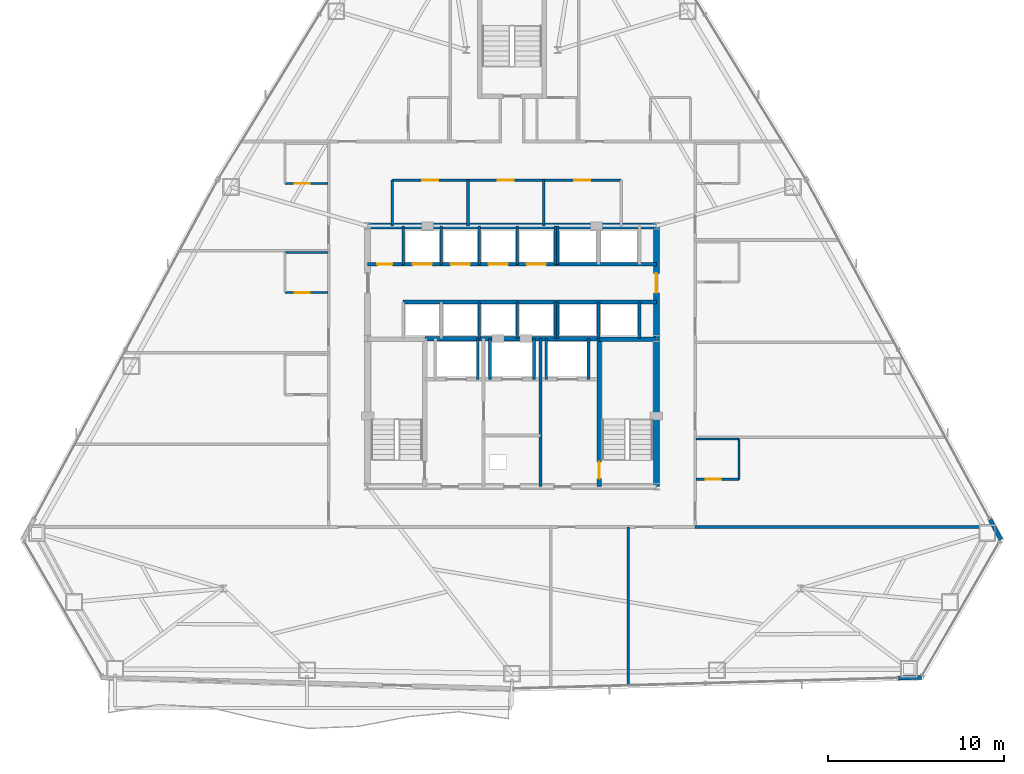
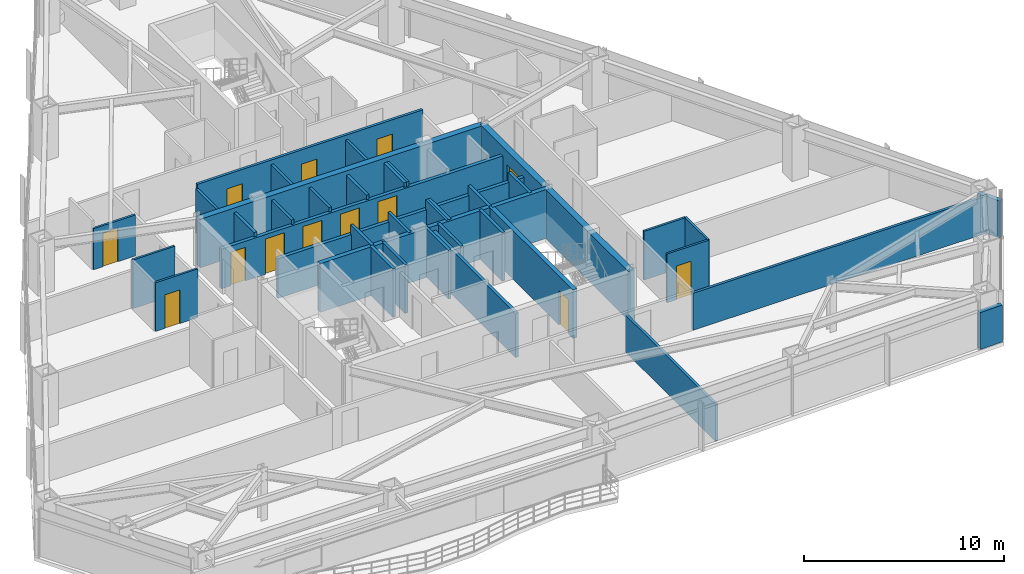
# One storey, part 10 of 14: 39 walls, 13 doors, 13 openings.
"""IFC4 building model written with IfcOpenShell, lengths in metres."""

from ifc_helpers import new_model, si_unit, direction, frame, frame_2d, origin, place, context, subcontext, project, spatial, rectangle, extrude, material, layer, layer_set, type_object, element, fill, save


model = new_model("IFC4")

# Units and contexts
model_context = context("Model", 3, precision=1e-05, world=origin(), true_north=direction((0.0, 1.0)))
body_context = subcontext(model_context, "Body", "Model", "MODEL_VIEW")
ifc_project = project(units=[si_unit("LENGTHUNIT", "METRE"), si_unit("AREAUNIT", "SQUARE_METRE"), si_unit("VOLUMEUNIT", "CUBIC_METRE"), si_unit("PLANEANGLEUNIT", "RADIAN"), si_unit("MASSUNIT", "GRAM", prefix="KILO")], contexts=[model_context])

# Site, building, storey
site_placement = place(None, origin())
site = spatial("IfcSite", under=ifc_project, at=site_placement, CompositionType="ELEMENT")
building_placement = place(site_placement, origin())
building = spatial("IfcBuilding", under=site, at=building_placement, Name="Varakhsha Concourse Tower", CompositionType="ELEMENT")
storey_placement = place(building_placement, frame((0.0, 0.0, 105.39990234375)))
storey = spatial("IfcBuildingStorey", under=building, at=storey_placement, Name="L30", CompositionType="ELEMENT", Elevation=105.39990234375)

# Wall
ifc_material_1 = material(Name="Concrete fc 65 MPa", Category="concrete")
ifc_layer_1 = layer(ifc_material_1, 0.35009765625, Name="WL-CORE-350")
ifc_layer_set_1 = layer_set([ifc_layer_1], Name="Concrete fc 65 MPa")
wall_type_1 = type_object("IfcWallType", Name="WL-CORE-350", PredefinedType="SHEAR", material=ifc_layer_set_1)
wall_1_placement = place(storey_placement, frame((31.800048828125, 31.199951171875, 0.0), z_axis=(0.0, 0.0, 1.0), x_axis=(1.0, 0.0, 0.0)))
element("IfcWall", 1, at=wall_1_placement, inside=storey, type_object=wall_type_1, Name="L30 Wall CWALL-N-L30", PredefinedType="SHEAR", context=body_context, shape_type="SweptSolid", body=[
    extrude(rectangle(XDim=16.39990234375, YDim=0.35009765625, at=frame_2d((8.199951171875, 0.0))), origin(), (0.0, 0.0, 1.0), 2.97021484375),
])

# Wall, opening, door
wall_2_placement = place(storey_placement, frame((48.199951171875, 16.39990234375, 0.0), z_axis=(0.0, 0.0, 1.0), x_axis=(0.0, 1.0, 0.0)))
wall_2 = element("IfcWall", 2, at=wall_2_placement, inside=storey, type_object=wall_type_1, Name="L30 Wall CWALL-E-L30", PredefinedType="SHEAR", context=body_context, shape_type="SweptSolid", body=[
    extrude(rectangle(XDim=14.800048828125, YDim=0.35009765625, at=frame_2d((7.39990234375, 0.0))), origin(), (0.0, 0.0, 1.0), 2.97021484375),
])
opening_1_placement = place(wall_2_placement, frame((11.0, 0.0, 0.0)))
opening_1 = element("IfcOpeningElement", 3, at=opening_1_placement, cuts=wall_2, Name="Opening DL-01", PredefinedType="OPENING", context=body_context, shape_type="SweptSolid", body=[
    extrude(rectangle(XDim=1.10009765625, YDim=2.14990234375, at=frame_2d((0.550048828125, 1.074951171875))), frame((0.0, 0.18505859375, 0.0), z_axis=(0.0, -1.0, 0.0), x_axis=(1.0, 0.0, 0.0)), (0.0, 0.0, 1.0), 0.3701171875),
])
ifc_material_2 = material(Name="Anodised Bronze Architectural Aluminium AA 6063-T6", Category="aluminium")
door_type_1 = type_object("IfcDoorType", Name="DR-LOB-1100", OperationType="NOTDEFINED", PredefinedType="DOOR", material=ifc_material_2)
door_1_placement = place(opening_1_placement, origin())
door_1 = element("IfcDoor", 4, at=door_1_placement, inside=storey, type_object=door_type_1, Name="L30 Lift Lobby East Concourse Door", OperationType="SINGLE_SWING_RIGHT", OverallHeight=2.14990234375, OverallWidth=1.10009765625, PredefinedType="DOOR", context=body_context, shape_type="SweptSolid", body=[
    extrude(rectangle(XDim=1.10009765625, YDim=2.14990234375, at=frame_2d((0.550048828125, 1.074951171875))), frame((0.0, 0.02490234375, 0.0), z_axis=(0.0, -1.0, 0.0), x_axis=(1.0, 0.0, 0.0)), (0.0, 0.0, 1.0), 0.050048828125),
])
fill(opening_1, door_1)

# Walls
ifc_material_3 = material(Name="Concrete fc 45 MPa", Category="concrete")
ifc_layer_2 = layer(ifc_material_3, 0.239990234375, Name="WL-EXT-CRN-240")
ifc_layer_set_2 = layer_set([ifc_layer_2], Name="Concrete fc 45 MPa")
wall_type_2 = type_object("IfcWallType", Name="WL-EXT-CRN-240", PredefinedType="SHEAR", material=ifc_layer_set_2)
wall_3_placement = place(storey_placement, frame((61.94775390625, 5.521728515625, 0.0), z_axis=(0.0, 0.0, 1.0), x_axis=(0.999614564295, 0.027761895635, 0.0)))
element("IfcWall", 5, at=wall_3_placement, inside=storey, type_object=wall_type_2, Name="L30 Wind-Corner Shoulder Wall F6", PredefinedType="SHEAR", context=body_context, shape_type="SweptSolid", body=[
    extrude(rectangle(XDim=1.310302734375, YDim=0.239990234375, at=frame_2d((0.6552734375, 0.0))), origin(), (0.0, 0.0, 1.0), 2.253173828125),
])
wall_4_placement = place(storey_placement, frame((67.773193359375, 13.37939453125, 0.0), z_axis=(0.0, 0.0, 1.0), x_axis=(-0.475820948293, 0.879542167929, 0.0)))
element("IfcWall", 6, at=wall_4_placement, inside=storey, type_object=wall_type_2, Name="L30 Wind-Corner Shoulder Wall F8", PredefinedType="SHEAR", context=body_context, shape_type="SweptSolid", body=[
    extrude(rectangle(XDim=1.310546875, YDim=0.239990234375, at=frame_2d((0.6552734375, 0.0))), origin(), (0.0, 0.0, 1.0), 2.253173828125),
])
ifc_material_4 = material(Name="Fire-Rated Type X Gypsum Partition Assembly", Category="gypsum")
ifc_layer_3 = layer(ifc_material_4, 0.179931640625, Name="WL-FFLOB-180")
ifc_layer_set_3 = layer_set([ifc_layer_3], Name="Fire-Rated Type X Gypsum Partition Assembly")
wall_type_3 = type_object("IfcWallType", Name="WL-FFLOB-180", PredefinedType="PARTITIONING", material=ifc_layer_set_3)
wall_5_placement = place(storey_placement, frame((41.610107421875, 16.39990234375, 0.0), z_axis=(0.0, 0.0, 1.0), x_axis=(0.0, 1.0, 0.0)))
element("IfcWall", 7, at=wall_5_placement, inside=storey, type_object=wall_type_3, Name="L30 Wall FFW-2W-L30", PredefinedType="PARTITIONING", context=body_context, shape_type="SweptSolid", body=[
    extrude(rectangle(XDim=8.400146484375, YDim=0.179931640625, at=frame_2d((4.2001953125, 0.0))), origin(), (0.0, 0.0, 1.0), 2.697998046875),
])

# Wall, opening, door
ifc_material_5 = material(Name="Acoustic Gypsum Board Partition Assembly", Category="gypsum")
ifc_layer_4 = layer(ifc_material_5, 0.1201171875, Name="WL-PART-120")
ifc_layer_set_4 = layer_set([ifc_layer_4], Name="Acoustic Gypsum Board Partition Assembly")
wall_type_4 = type_object("IfcWallType", Name="WL-PART-120", PredefinedType="PARTITIONING", material=ifc_layer_set_4)
wall_6_placement = place(storey_placement, frame((27.110107421875, 27.409912109375, 0.0), z_axis=(0.0, 0.0, 1.0), x_axis=(1.0, 0.0, 0.0)))
wall_6 = element("IfcWall", 8, at=wall_6_placement, inside=storey, type_object=wall_type_4, Name="L30 Wall ENSW-S-L30-H06", PredefinedType="PARTITIONING", context=body_context, shape_type="SweptSolid", body=[
    extrude(rectangle(XDim=2.429931640625, YDim=0.1201171875, at=frame_2d((1.21484375, 0.0))), origin(), (0.0, 0.0, 1.0), 2.97021484375),
])
opening_2_placement = place(wall_6_placement, frame((0.550048828125, 0.0, 0.0)))
opening_2 = element("IfcOpeningElement", 9, at=opening_2_placement, cuts=wall_6, Name="Opening DI-01", PredefinedType="OPENING", context=body_context, shape_type="SweptSolid", body=[
    extrude(rectangle(XDim=0.85009765625, YDim=2.050048828125, at=frame_2d((0.425048828125, 1.02490234375))), frame((0.0, 0.070068359375, 0.0), z_axis=(0.0, -1.0, 0.0), x_axis=(1.0, 0.0, 0.0)), (0.0, 0.0, 1.0), 0.14013671875),
])
ifc_material_6 = material(Name="Architectural Walnut Acoustic Timber Door", Category="wood")
door_type_2 = type_object("IfcDoorType", Name="DR-INT-850", OperationType="NOTDEFINED", PredefinedType="DOOR", material=ifc_material_6)
door_2_placement = place(opening_2_placement, origin())
door_2 = element("IfcDoor", 10, at=door_2_placement, inside=storey, type_object=door_type_2, Name="L30 En-suite Bathroom Door L30-H06", OperationType="SINGLE_SWING_RIGHT", OverallHeight=2.050048828125, OverallWidth=0.85009765625, PredefinedType="DOOR", context=body_context, shape_type="SweptSolid", body=[
    extrude(rectangle(XDim=0.85009765625, YDim=2.050048828125, at=frame_2d((0.425048828125, 1.02490234375))), frame((0.0, 0.02490234375, 0.0), z_axis=(0.0, -1.0, 0.0), x_axis=(1.0, 0.0, 0.0)), (0.0, 0.0, 1.0), 0.050048828125),
])
fill(opening_2, door_2)

# Wall
wall_7_placement = place(storey_placement, frame((27.110107421875, 29.68994140625, 0.0), z_axis=(0.0, 0.0, 1.0), x_axis=(1.0, 0.0, 0.0)))
element("IfcWall", 11, at=wall_7_placement, inside=storey, type_object=wall_type_4, Name="L30 Wall ENSW-N-L30-H06", PredefinedType="PARTITIONING", context=body_context, shape_type="SweptSolid", body=[
    extrude(rectangle(XDim=2.429931640625, YDim=0.1201171875, at=frame_2d((1.21484375, 0.0))), origin(), (0.0, 0.0, 1.0), 2.97021484375),
])

# Wall, opening, door
wall_8_placement = place(storey_placement, frame((27.110107421875, 33.610107421875, 0.0), z_axis=(0.0, 0.0, 1.0), x_axis=(1.0, 0.0, 0.0)))
wall_8 = element("IfcWall", 12, at=wall_8_placement, inside=storey, type_object=wall_type_4, Name="L30 Wall ENSW-S-L30-H07", PredefinedType="PARTITIONING", context=body_context, shape_type="SweptSolid", body=[
    extrude(rectangle(XDim=2.429931640625, YDim=0.1201171875, at=frame_2d((1.21484375, 0.0))), origin(), (0.0, 0.0, 1.0), 2.503173828125),
])
opening_3_placement = place(wall_8_placement, frame((0.550048828125, 0.0, 0.0)))
opening_3 = element("IfcOpeningElement", 13, at=opening_3_placement, cuts=wall_8, Name="Opening DI-01", PredefinedType="OPENING", context=body_context, shape_type="SweptSolid", body=[
    extrude(rectangle(XDim=0.85009765625, YDim=2.050048828125, at=frame_2d((0.425048828125, 1.02490234375))), frame((0.0, 0.070068359375, 0.0), z_axis=(0.0, -1.0, 0.0), x_axis=(1.0, 0.0, 0.0)), (0.0, 0.0, 1.0), 0.14013671875),
])
door_3_placement = place(opening_3_placement, origin())
door_3 = element("IfcDoor", 14, at=door_3_placement, inside=storey, type_object=door_type_2, Name="L30 En-suite Bathroom Door L30-H07", OperationType="SINGLE_SWING_RIGHT", OverallHeight=2.050048828125, OverallWidth=0.85009765625, PredefinedType="DOOR", context=body_context, shape_type="SweptSolid", body=[
    extrude(rectangle(XDim=0.85009765625, YDim=2.050048828125, at=frame_2d((0.425048828125, 1.02490234375))), frame((0.0, 0.02490234375, 0.0), z_axis=(0.0, -1.0, 0.0), x_axis=(1.0, 0.0, 0.0)), (0.0, 0.0, 1.0), 0.050048828125),
])
fill(opening_3, door_3)

# Wall
wall_9_placement = place(storey_placement, frame((52.889892578125, 16.81005859375, 0.0), z_axis=(0.0, 0.0, 1.0), x_axis=(0.0, 1.0, 0.0)))
element("IfcWall", 15, at=wall_9_placement, inside=storey, type_object=wall_type_4, Name="L30 Wall ENSW-E-L30-H08", PredefinedType="PARTITIONING", context=body_context, shape_type="SweptSolid", body=[
    extrude(rectangle(XDim=2.280029296875, YDim=0.1201171875, at=frame_2d((1.14013671875, 0.0))), origin(), (0.0, 0.0, 1.0), 2.97021484375),
])

# Wall, opening, door
wall_10_placement = place(storey_placement, frame((50.4599609375, 16.81005859375, 0.0), z_axis=(0.0, 0.0, 1.0), x_axis=(1.0, 0.0, 0.0)))
wall_10 = element("IfcWall", 16, at=wall_10_placement, inside=storey, type_object=wall_type_4, Name="L30 Wall ENSW-S-L30-H08", PredefinedType="PARTITIONING", context=body_context, shape_type="SweptSolid", body=[
    extrude(rectangle(XDim=2.429931640625, YDim=0.1201171875, at=frame_2d((1.21484375, 0.0))), origin(), (0.0, 0.0, 1.0), 2.97021484375),
])
opening_4_placement = place(wall_10_placement, frame((0.550048828125, 0.0, 0.0)))
opening_4 = element("IfcOpeningElement", 17, at=opening_4_placement, cuts=wall_10, Name="Opening DI-01", PredefinedType="OPENING", context=body_context, shape_type="SweptSolid", body=[
    extrude(rectangle(XDim=0.85009765625, YDim=2.050048828125, at=frame_2d((0.425048828125, 1.02490234375))), frame((0.0, 0.070068359375, 0.0), z_axis=(0.0, -1.0, 0.0), x_axis=(1.0, 0.0, 0.0)), (0.0, 0.0, 1.0), 0.14013671875),
])
door_4_placement = place(opening_4_placement, origin())
door_4 = element("IfcDoor", 18, at=door_4_placement, inside=storey, type_object=door_type_2, Name="L30 En-suite Bathroom Door L30-H08", OperationType="SINGLE_SWING_RIGHT", OverallHeight=2.050048828125, OverallWidth=0.85009765625, PredefinedType="DOOR", context=body_context, shape_type="SweptSolid", body=[
    extrude(rectangle(XDim=0.85009765625, YDim=2.050048828125, at=frame_2d((0.425048828125, 1.02490234375))), frame((0.0, 0.02490234375, 0.0), z_axis=(0.0, -1.0, 0.0), x_axis=(1.0, 0.0, 0.0)), (0.0, 0.0, 1.0), 0.050048828125),
])
fill(opening_4, door_4)

# Wall
wall_11_placement = place(storey_placement, frame((50.4599609375, 19.090087890625, 0.0), z_axis=(0.0, 0.0, 1.0), x_axis=(1.0, 0.0, 0.0)))
element("IfcWall", 19, at=wall_11_placement, inside=storey, type_object=wall_type_4, Name="L30 Wall ENSW-N-L30-H08", PredefinedType="PARTITIONING", context=body_context, shape_type="SweptSolid", body=[
    extrude(rectangle(XDim=2.429931640625, YDim=0.1201171875, at=frame_2d((1.21484375, 0.0))), origin(), (0.0, 0.0, 1.0), 2.97021484375),
])

# Wall, openings, doors
ifc_layer_5 = layer(ifc_material_4, 0.14990234375, Name="WL-PART-150")
ifc_layer_set_5 = layer_set([ifc_layer_5], Name="Fire-Rated Type X Gypsum Partition Assembly")
wall_type_5 = type_object("IfcWallType", Name="WL-PART-150", PredefinedType="PARTITIONING", material=ifc_layer_set_5)
wall_12_placement = place(storey_placement, frame((33.199951171875, 33.800048828125, 0.0), z_axis=(0.0, 0.0, 1.0), x_axis=(1.0, 0.0, 0.0)))
wall_12 = element("IfcWall", 20, at=wall_12_placement, inside=storey, type_object=wall_type_5, Name="L30 Wall NBOH-N-L30", PredefinedType="PARTITIONING", context=body_context, shape_type="SweptSolid", body=[
    extrude(rectangle(XDim=13.0, YDim=0.14990234375, at=frame_2d((6.5, 0.0))), origin(), (0.0, 0.0, 1.0), 2.97021484375),
])
opening_5_placement = place(wall_12_placement, frame((1.699951171875, 0.0, 0.0)))
opening_5 = element("IfcOpeningElement", 21, at=opening_5_placement, cuts=wall_12, Name="Opening DF-06", PredefinedType="OPENING", context=body_context, shape_type="SweptSolid", body=[
    extrude(rectangle(XDim=0.89990234375, YDim=2.10009765625, at=frame_2d((0.449951171875, 1.050048828125))), frame((0.0, 0.0849609375, 0.0), z_axis=(0.0, -1.0, 0.0), x_axis=(1.0, 0.0, 0.0)), (0.0, 0.0, 1.0), 0.169921875),
])
opening_6_placement = place(wall_12_placement, frame((6.0, 0.0, 0.0)))
opening_6 = element("IfcOpeningElement", 22, at=opening_6_placement, cuts=wall_12, Name="Opening DF-06", PredefinedType="OPENING", context=body_context, shape_type="SweptSolid", body=[
    extrude(rectangle(XDim=0.89990234375, YDim=2.10009765625, at=frame_2d((0.449951171875, 1.050048828125))), frame((0.0, 0.0849609375, 0.0), z_axis=(0.0, -1.0, 0.0), x_axis=(1.0, 0.0, 0.0)), (0.0, 0.0, 1.0), 0.169921875),
])
opening_7_placement = place(wall_12_placement, frame((10.35009765625, 0.0, 0.0)))
opening_7 = element("IfcOpeningElement", 23, at=opening_7_placement, cuts=wall_12, Name="Opening DF-06", PredefinedType="OPENING", context=body_context, shape_type="SweptSolid", body=[
    extrude(rectangle(XDim=0.89990234375, YDim=2.10009765625, at=frame_2d((0.449951171875, 1.050048828125))), frame((0.0, 0.0849609375, 0.0), z_axis=(0.0, -1.0, 0.0), x_axis=(1.0, 0.0, 0.0)), (0.0, 0.0, 1.0), 0.169921875),
])
ifc_material_7 = material(Name="Hollow Galvanised Steel Fire Door Assembly", Category="steel")
door_type_3 = type_object("IfcDoorType", Name="DR-FD60-900", OperationType="NOTDEFINED", PredefinedType="DOOR", material=ifc_material_7)
door_5_placement = place(opening_5_placement, origin())
door_5 = element("IfcDoor", 24, at=door_5_placement, inside=storey, type_object=door_type_3, Name="L30 Housekeeping and Linen Room Door", OperationType="SINGLE_SWING_LEFT", OverallHeight=2.10009765625, OverallWidth=0.89990234375, PredefinedType="DOOR", context=body_context, shape_type="SweptSolid", body=[
    extrude(rectangle(XDim=0.89990234375, YDim=2.10009765625, at=frame_2d((0.449951171875, 1.050048828125))), frame((0.0, 0.02490234375, 0.0), z_axis=(0.0, -1.0, 0.0), x_axis=(1.0, 0.0, 0.0)), (0.0, 0.0, 1.0), 0.050048828125),
])
fill(opening_5, door_5)
door_6_placement = place(opening_6_placement, origin())
door_6 = element("IfcDoor", 25, at=door_6_placement, inside=storey, type_object=door_type_3, Name="L30 Accessible WC Door", OperationType="SINGLE_SWING_RIGHT", OverallHeight=2.10009765625, OverallWidth=0.89990234375, PredefinedType="DOOR", context=body_context, shape_type="SweptSolid", body=[
    extrude(rectangle(XDim=0.89990234375, YDim=2.10009765625, at=frame_2d((0.449951171875, 1.050048828125))), frame((0.0, 0.02490234375, 0.0), z_axis=(0.0, -1.0, 0.0), x_axis=(1.0, 0.0, 0.0)), (0.0, 0.0, 1.0), 0.050048828125),
])
fill(opening_6, door_6)
door_7_placement = place(opening_7_placement, origin())
door_7 = element("IfcDoor", 26, at=door_7_placement, inside=storey, type_object=door_type_3, Name="L30 Staff Restroom WC Door", OperationType="SINGLE_SWING_LEFT", OverallHeight=2.10009765625, OverallWidth=0.89990234375, PredefinedType="DOOR", context=body_context, shape_type="SweptSolid", body=[
    extrude(rectangle(XDim=0.89990234375, YDim=2.10009765625, at=frame_2d((0.449951171875, 1.050048828125))), frame((0.0, 0.02490234375, 0.0), z_axis=(0.0, -1.0, 0.0), x_axis=(1.0, 0.0, 0.0)), (0.0, 0.0, 1.0), 0.050048828125),
])
fill(opening_7, door_7)

# Walls
for number, where, z_axis, x_axis, name in (
    (27, (33.199951171875, 31.199951171875, 0.0), (0.0, 0.0, 1.0), (0.0, 1.0, 0.0), "L30 Wall NBOH-W-L30"),
    (28, (37.5, 31.199951171875, 0.0), (0.0, 0.0, 1.0), (0.0, 1.0, 0.0), "L30 Wall NBOH-D1-L30"),
    (29, (41.800048828125, 31.199951171875, 0.0), (0.0, 0.0, 1.0), (0.0, 1.0, 0.0), "L30 Wall NBOH-D2-L30"),
):
    element("IfcWall", number, at=place(storey_placement, frame(where, z_axis=z_axis, x_axis=x_axis)), inside=storey, type_object=wall_type_5, Name=name, PredefinedType="PARTITIONING", context=body_context, shape_type="SweptSolid", body=[
        extrude(rectangle(XDim=2.60009765625, YDim=0.14990234375, at=frame_2d((1.300048828125, 0.0))), origin(), (0.0, 0.0, 1.0), 2.697998046875),
    ])
wall_13_placement = place(storey_placement, frame((46.60009765625, 5.10400390625, 0.0), z_axis=(0.0, 0.0, 1.0), x_axis=(0.0, 1.0, 0.0)))
element("IfcWall", 30, at=wall_13_placement, inside=storey, type_object=wall_type_5, Name="L30 Wall HDIV-S2-L30", PredefinedType="PARTITIONING", context=body_context, shape_type="SweptSolid", body=[
    extrude(rectangle(XDim=8.99609375, YDim=0.14990234375, at=frame_2d((4.498046875, 0.0))), origin(), (0.0, 0.0, 1.0), 2.258056640625),
])
wall_14_placement = place(storey_placement, frame((50.39990234375, 14.10009765625, 0.0), z_axis=(0.0, 0.0, 1.0), x_axis=(1.0, 0.0, 0.0)))
element("IfcWall", 31, at=wall_14_placement, inside=storey, type_object=wall_type_5, Name="L30 Wall HDIV-EB0-L30", PredefinedType="PARTITIONING", context=body_context, shape_type="SweptSolid", body=[
    extrude(rectangle(XDim=16.977783203125, YDim=0.14990234375, at=frame_2d((8.48876953125, 0.0))), origin(), (0.0, 0.0, 1.0), 2.258056640625),
])
ifc_layer_6 = layer(ifc_material_4, 0.199951171875, Name="WL-SHAFT-220")
ifc_layer_set_6 = layer_set([ifc_layer_6], Name="Fire-Rated Type X Gypsum Partition Assembly")
wall_type_6 = type_object("IfcWallType", Name="WL-SHAFT-220", PredefinedType="SOLIDWALL", material=ifc_layer_set_6)
for number, where, z_axis, x_axis, name in (
    (32, (38.050048828125, 22.47998046875, 0.0), (0.0, 0.0, 1.0), (0.0, 1.0, 0.0), "L30 Wall SHW-FFL-1-E-L30"),
    (33, (41.949951171875, 22.47998046875, 0.0), (0.0, 0.0, 1.0), (0.0, 1.0, 0.0), "L30 Wall SHW-FFL-2-W-L30"),
    (34, (44.35009765625, 22.47998046875, 0.0), (0.0, 0.0, 1.0), (0.0, 1.0, 0.0), "L30 Wall SHW-FFL-2-E-L30"),
    (35, (38.75, 22.47998046875, 0.0), (0.0, 0.0, 1.0), (0.0, 1.0, 0.0), "L30 Wall SHW-SVL-1-W-L30"),
    (36, (41.25, 22.47998046875, 0.0), (0.0, 0.0, 1.0), (0.0, 1.0, 0.0), "L30 Wall SHW-SVL-1-E-L30"),
):
    element("IfcWall", number, at=place(storey_placement, frame(where, z_axis=z_axis, x_axis=x_axis)), inside=storey, type_object=wall_type_6, Name=name, PredefinedType="SOLIDWALL", context=body_context, shape_type="SweptSolid", body=[
        extrude(rectangle(XDim=2.320068359375, YDim=0.159912109375, at=frame_2d((1.16015625, 0.0))), origin(), (0.0, 0.0, 1.0), 2.97021484375),
    ])

# Wall, openings, doors
wall_15_placement = place(storey_placement, frame((31.800048828125, 29.02001953125, 0.0), z_axis=(0.0, 0.0, 1.0), x_axis=(1.0, 0.0, 0.0)))
wall_15 = element("IfcWall", 37, at=wall_15_placement, inside=storey, type_object=wall_type_6, Name="L30 Wall PLW-N-L30", PredefinedType="SOLIDWALL", context=body_context, shape_type="SweptSolid", body=[
    extrude(rectangle(XDim=16.39990234375, YDim=0.199951171875, at=frame_2d((8.199951171875, 0.0))), origin(), (0.0, 0.0, 1.0), 2.421142578125),
])
opening_8_placement = place(wall_15_placement, frame((0.550048828125, 0.0, 0.0)))
opening_8 = element("IfcOpeningElement", 38, at=opening_8_placement, cuts=wall_15, Name="Opening DF-07", PredefinedType="OPENING", context=body_context, shape_type="SweptSolid", body=[
    extrude(rectangle(XDim=0.85009765625, YDim=2.050048828125, at=frame_2d((0.425048828125, 1.02490234375))), frame((0.0, 0.10986328125, 0.0), z_axis=(0.0, -1.0, 0.0), x_axis=(1.0, 0.0, 0.0)), (0.0, 0.0, 1.0), 0.219970703125),
])
opening_9_placement = place(wall_15_placement, frame((2.550048828125, 0.0, 0.0)))
opening_9 = element("IfcOpeningElement", 39, at=opening_9_placement, cuts=wall_15, Name="Opening LD-LF-P01", PredefinedType="OPENING", context=body_context, shape_type="SweptSolid", body=[
    extrude(rectangle(XDim=1.10009765625, YDim=2.14990234375, at=frame_2d((0.550048828125, 1.074951171875))), frame((0.0, 0.10986328125, 0.0), z_axis=(0.0, -1.0, 0.0), x_axis=(1.0, 0.0, 0.0)), (0.0, 0.0, 1.0), 0.219970703125),
])
opening_10_placement = place(wall_15_placement, frame((4.7099609375, 0.0, 0.0)))
opening_10 = element("IfcOpeningElement", 40, at=opening_10_placement, cuts=wall_15, Name="Opening LD-LF-P02", PredefinedType="OPENING", context=body_context, shape_type="SweptSolid", body=[
    extrude(rectangle(XDim=1.10009765625, YDim=2.14990234375, at=frame_2d((0.550048828125, 1.074951171875))), frame((0.0, 0.10986328125, 0.0), z_axis=(0.0, -1.0, 0.0), x_axis=(1.0, 0.0, 0.0)), (0.0, 0.0, 1.0), 0.219970703125),
])
opening_11_placement = place(wall_15_placement, frame((6.8701171875, 0.0, 0.0)))
opening_11 = element("IfcOpeningElement", 41, at=opening_11_placement, cuts=wall_15, Name="Opening LD-LF-P03", PredefinedType="OPENING", context=body_context, shape_type="SweptSolid", body=[
    extrude(rectangle(XDim=1.10009765625, YDim=2.14990234375, at=frame_2d((0.550048828125, 1.074951171875))), frame((0.0, 0.10986328125, 0.0), z_axis=(0.0, -1.0, 0.0), x_axis=(1.0, 0.0, 0.0)), (0.0, 0.0, 1.0), 0.219970703125),
])
opening_12_placement = place(wall_15_placement, frame((9.030029296875, 0.0, 0.0)))
opening_12 = element("IfcOpeningElement", 42, at=opening_12_placement, cuts=wall_15, Name="Opening LD-LF-P04", PredefinedType="OPENING", context=body_context, shape_type="SweptSolid", body=[
    extrude(rectangle(XDim=1.10009765625, YDim=2.14990234375, at=frame_2d((0.550048828125, 1.074951171875))), frame((0.0, 0.10986328125, 0.0), z_axis=(0.0, -1.0, 0.0), x_axis=(1.0, 0.0, 0.0)), (0.0, 0.0, 1.0), 0.219970703125),
])
door_type_4 = type_object("IfcDoorType", Name="DR-FD60-850", OperationType="NOTDEFINED", PredefinedType="DOOR", material=ifc_material_7)
door_8_placement = place(opening_8_placement, origin())
door_8 = element("IfcDoor", 43, at=door_8_placement, inside=storey, type_object=door_type_4, Name="L30 Core Janitor Closet Door", OperationType="SINGLE_SWING_LEFT", OverallHeight=2.050048828125, OverallWidth=0.85009765625, PredefinedType="DOOR", context=body_context, shape_type="SweptSolid", body=[
    extrude(rectangle(XDim=0.85009765625, YDim=2.050048828125, at=frame_2d((0.425048828125, 1.02490234375))), frame((0.0, 0.02490234375, 0.0), z_axis=(0.0, -1.0, 0.0), x_axis=(1.0, 0.0, 0.0)), (0.0, 0.0, 1.0), 0.050048828125),
])
fill(opening_8, door_8)
ifc_material_8 = material(Name="Brushed Austenitic Stainless Steel AISI 316", Category="steel")
door_type_5 = type_object("IfcDoorType", Name="DR-LD-1100", OperationType="DOUBLE_DOOR_SLIDING", PredefinedType="DOOR", material=ifc_material_8)
door_9_placement = place(opening_9_placement, origin())
door_9 = element("IfcDoor", 44, at=door_9_placement, inside=storey, type_object=door_type_5, Name="Lift Landing Door LF-P01 L30", OperationType="DOUBLE_DOOR_SLIDING", OverallHeight=2.14990234375, OverallWidth=1.10009765625, PredefinedType="DOOR", context=body_context, shape_type="SweptSolid", body=[
    extrude(rectangle(XDim=1.10009765625, YDim=2.14990234375, at=frame_2d((0.550048828125, 1.074951171875))), frame((0.0, 0.02490234375, 0.0), z_axis=(0.0, -1.0, 0.0), x_axis=(1.0, 0.0, 0.0)), (0.0, 0.0, 1.0), 0.050048828125),
])
fill(opening_9, door_9)
door_10_placement = place(opening_10_placement, origin())
door_10 = element("IfcDoor", 45, at=door_10_placement, inside=storey, type_object=door_type_5, Name="Lift Landing Door LF-P02 L30", OperationType="DOUBLE_DOOR_SLIDING", OverallHeight=2.14990234375, OverallWidth=1.10009765625, PredefinedType="DOOR", context=body_context, shape_type="SweptSolid", body=[
    extrude(rectangle(XDim=1.10009765625, YDim=2.14990234375, at=frame_2d((0.550048828125, 1.074951171875))), frame((0.0, 0.02490234375, 0.0), z_axis=(0.0, -1.0, 0.0), x_axis=(1.0, 0.0, 0.0)), (0.0, 0.0, 1.0), 0.050048828125),
])
fill(opening_10, door_10)
door_11_placement = place(opening_11_placement, origin())
door_11 = element("IfcDoor", 46, at=door_11_placement, inside=storey, type_object=door_type_5, Name="Lift Landing Door LF-P03 L30", OperationType="DOUBLE_DOOR_SLIDING", OverallHeight=2.14990234375, OverallWidth=1.10009765625, PredefinedType="DOOR", context=body_context, shape_type="SweptSolid", body=[
    extrude(rectangle(XDim=1.10009765625, YDim=2.14990234375, at=frame_2d((0.550048828125, 1.074951171875))), frame((0.0, 0.02490234375, 0.0), z_axis=(0.0, -1.0, 0.0), x_axis=(1.0, 0.0, 0.0)), (0.0, 0.0, 1.0), 0.050048828125),
])
fill(opening_11, door_11)
door_12_placement = place(opening_12_placement, origin())
door_12 = element("IfcDoor", 47, at=door_12_placement, inside=storey, type_object=door_type_5, Name="Lift Landing Door LF-P04 L30", OperationType="DOUBLE_DOOR_SLIDING", OverallHeight=2.14990234375, OverallWidth=1.10009765625, PredefinedType="DOOR", context=body_context, shape_type="SweptSolid", body=[
    extrude(rectangle(XDim=1.10009765625, YDim=2.14990234375, at=frame_2d((0.550048828125, 1.074951171875))), frame((0.0, 0.02490234375, 0.0), z_axis=(0.0, -1.0, 0.0), x_axis=(1.0, 0.0, 0.0)), (0.0, 0.0, 1.0), 0.050048828125),
])
fill(opening_12, door_12)

# Walls
wall_16_placement = place(storey_placement, frame((33.820068359375, 26.8798828125, 0.0), z_axis=(0.0, 0.0, 1.0), x_axis=(1.0, 0.0, 0.0)))
element("IfcWall", 48, at=wall_16_placement, inside=storey, type_object=wall_type_6, Name="L30 Wall PLW-S-L30", PredefinedType="SOLIDWALL", context=body_context, shape_type="SweptSolid", body=[
    extrude(rectangle(XDim=14.3798828125, YDim=0.199951171875, at=frame_2d((7.18994140625, 0.0))), origin(), (0.0, 0.0, 1.0), 2.421142578125),
])
for number, where, z_axis, x_axis, name in (
    (49, (33.820068359375, 29.02001953125, 0.0), (0.0, 0.0, 1.0), (0.0, 1.0, 0.0), "L30 Wall WBOH-E1-L30"),
    (50, (35.97998046875, 29.02001953125, 0.0), (0.0, 0.0, 1.0), (0.0, 1.0, 0.0), "L30 Wall SHW-LF-P01-E-L30"),
    (51, (38.139892578125, 29.02001953125, 0.0), (0.0, 0.0, 1.0), (0.0, 1.0, 0.0), "L30 Wall SHW-LF-P02-E-L30"),
    (52, (40.300048828125, 29.02001953125, 0.0), (0.0, 0.0, 1.0), (0.0, 1.0, 0.0), "L30 Wall SHW-LF-P03-E-L30"),
    (53, (42.4599609375, 29.02001953125, 0.0), (0.0, 0.0, 1.0), (0.0, 1.0, 0.0), "L30 Wall SHW-LF-P04-E-L30"),
):
    element("IfcWall", number, at=place(storey_placement, frame(where, z_axis=z_axis, x_axis=x_axis)), inside=storey, type_object=wall_type_6, Name=name, PredefinedType="SOLIDWALL", context=body_context, shape_type="SweptSolid", body=[
        extrude(rectangle(XDim=2.179931640625, YDim=0.159912109375, at=frame_2d((1.08984375, 0.0))), origin(), (0.0, 0.0, 1.0), 2.697998046875),
    ])
for number, where, z_axis, x_axis, name in (
    (54, (38.139892578125, 24.800048828125, 0.0), (0.0, 0.0, 1.0), (0.0, 1.0, 0.0), "L30 Wall SHW-LF-P06-E-L30"),
    (55, (40.300048828125, 24.800048828125, 0.0), (0.0, 0.0, 1.0), (0.0, 1.0, 0.0), "L30 Wall SHW-LF-P07-E-L30"),
    (56, (42.4599609375, 24.800048828125, 0.0), (0.0, 0.0, 1.0), (0.0, 1.0, 0.0), "L30 Wall SHW-LF-P08-E-L30"),
):
    element("IfcWall", number, at=place(storey_placement, frame(where, z_axis=z_axis, x_axis=x_axis)), inside=storey, type_object=wall_type_6, Name=name, PredefinedType="SOLIDWALL", context=body_context, shape_type="SweptSolid", body=[
        extrude(rectangle(XDim=2.079833984375, YDim=0.159912109375, at=frame_2d((1.0400390625, 0.0))), origin(), (0.0, 0.0, 1.0), 2.97021484375),
    ])
wall_17_placement = place(storey_placement, frame((42.60009765625, 29.02001953125, 0.0), z_axis=(0.0, 0.0, 1.0), x_axis=(0.0, 1.0, 0.0)))
element("IfcWall", 57, at=wall_17_placement, inside=storey, type_object=wall_type_6, Name="L30 Wall SHW-LF-P09-W-L30", PredefinedType="SOLIDWALL", context=body_context, shape_type="SweptSolid", body=[
    extrude(rectangle(XDim=2.179931640625, YDim=0.159912109375, at=frame_2d((1.08984375, 0.0))), origin(), (0.0, 0.0, 1.0), 2.697998046875),
])
for number, where, z_axis, x_axis, name in (
    (58, (42.60009765625, 24.800048828125, 0.0), (0.0, 0.0, 1.0), (0.0, 1.0, 0.0), "L30 Wall SHW-LF-P11-W-L30"),
    (59, (44.919921875, 24.800048828125, 0.0), (0.0, 0.0, 1.0), (0.0, 1.0, 0.0), "L30 Wall SHW-LF-P11-E-L30"),
    (60, (47.239990234375, 24.800048828125, 0.0), (0.0, 0.0, 1.0), (0.0, 1.0, 0.0), "L30 Wall SHW-LF-P12-E-L30"),
):
    element("IfcWall", number, at=place(storey_placement, frame(where, z_axis=z_axis, x_axis=x_axis)), inside=storey, type_object=wall_type_6, Name=name, PredefinedType="SOLIDWALL", context=body_context, shape_type="SweptSolid", body=[
        extrude(rectangle(XDim=2.079833984375, YDim=0.159912109375, at=frame_2d((1.0400390625, 0.0))), origin(), (0.0, 0.0, 1.0), 2.97021484375),
    ])

# Wall, opening, door
ifc_layer_7 = layer(ifc_material_3, 0.25, Name="WL-STAIR-250")
ifc_layer_set_7 = layer_set([ifc_layer_7], Name="Concrete fc 45 MPa")
wall_type_7 = type_object("IfcWallType", Name="WL-STAIR-250", PredefinedType="SHEAR", material=ifc_layer_set_7)
wall_18_placement = place(storey_placement, frame((44.955078125, 16.39990234375, 0.0), z_axis=(0.0, 0.0, 1.0), x_axis=(0.0, 1.0, 0.0)))
wall_18 = element("IfcWall", 61, at=wall_18_placement, inside=storey, type_object=wall_type_7, Name="L30 Wall SWALL-ST2-W-L30", PredefinedType="SHEAR", context=body_context, shape_type="SweptSolid", body=[
    extrude(rectangle(XDim=8.400146484375, YDim=0.25, at=frame_2d((4.2001953125, 0.0))), origin(), (0.0, 0.0, 1.0), 2.97021484375),
])
opening_13_placement = place(wall_18_placement, frame((0.449951171875, 0.0, 0.0)))
opening_13 = element("IfcOpeningElement", 62, at=opening_13_placement, cuts=wall_18, Name="Opening DF-03", PredefinedType="OPENING", context=body_context, shape_type="SweptSolid", body=[
    extrude(rectangle(XDim=0.949951171875, YDim=2.10009765625, at=frame_2d((0.47509765625, 1.050048828125))), frame((0.0, 0.135009765625, 0.0), z_axis=(0.0, -1.0, 0.0), x_axis=(1.0, 0.0, 0.0)), (0.0, 0.0, 1.0), 0.27001953125),
])
door_type_6 = type_object("IfcDoorType", Name="DR-FD90-950", OperationType="NOTDEFINED", PredefinedType="DOOR", material=ifc_material_7)
door_13_placement = place(opening_13_placement, origin())
door_13 = element("IfcDoor", 63, at=door_13_placement, inside=storey, type_object=door_type_6, Name="L30 Stair ST2 Fire Door", OperationType="SINGLE_SWING_RIGHT", OverallHeight=2.10009765625, OverallWidth=0.949951171875, PredefinedType="DOOR", context=body_context, shape_type="SweptSolid", body=[
    extrude(rectangle(XDim=0.949951171875, YDim=2.10009765625, at=frame_2d((0.47509765625, 1.050048828125))), frame((0.0, 0.02490234375, 0.0), z_axis=(0.0, -1.0, 0.0), x_axis=(1.0, 0.0, 0.0)), (0.0, 0.0, 1.0), 0.050048828125),
])
fill(opening_13, door_13)

# Walls
wall_19_placement = place(storey_placement, frame((44.955078125, 24.7548828125, 0.0), z_axis=(0.0, 0.0, 1.0), x_axis=(1.0, 0.0, 0.0)))
element("IfcWall", 64, at=wall_19_placement, inside=storey, type_object=wall_type_7, Name="L30 Wall SWALL-ST2-N-L30", PredefinedType="SHEAR", context=body_context, shape_type="SweptSolid", body=[
    extrude(rectangle(XDim=3.244873046875, YDim=0.25, at=frame_2d((1.62255859375, 0.0))), origin(), (0.0, 0.0, 1.0), 2.97021484375),
])
wall_20_placement = place(storey_placement, frame((35.044921875, 24.800048828125, 0.0), z_axis=(0.0, 0.0, 1.0), x_axis=(1.0, 0.0, 0.0)))
element("IfcWall", 65, at=wall_20_placement, inside=storey, type_object=wall_type_7, Name="L30 Wall SWALL-MID-H-L30", PredefinedType="SHEAR", context=body_context, shape_type="SweptSolid", body=[
    extrude(rectangle(XDim=9.91015625, YDim=0.25, at=frame_2d((4.955078125, 0.0))), origin(), (0.0, 0.0, 1.0), 2.97021484375),
])

save(model, "model.ifc")
